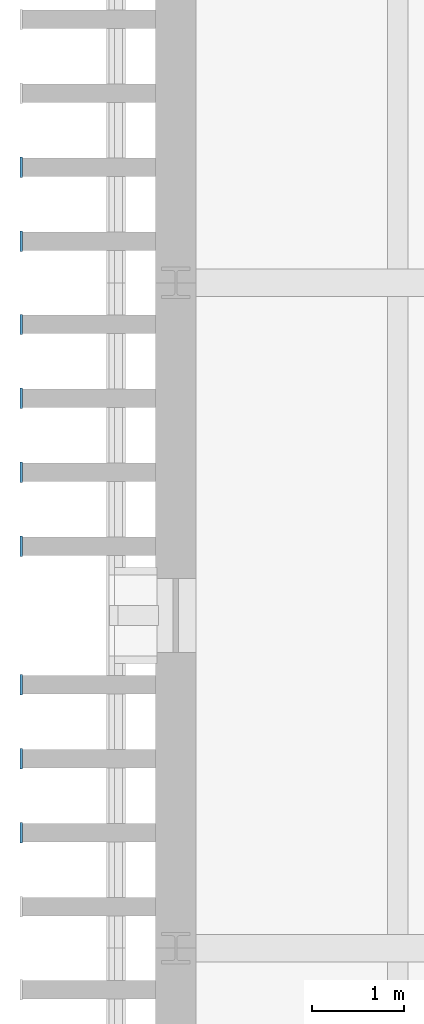
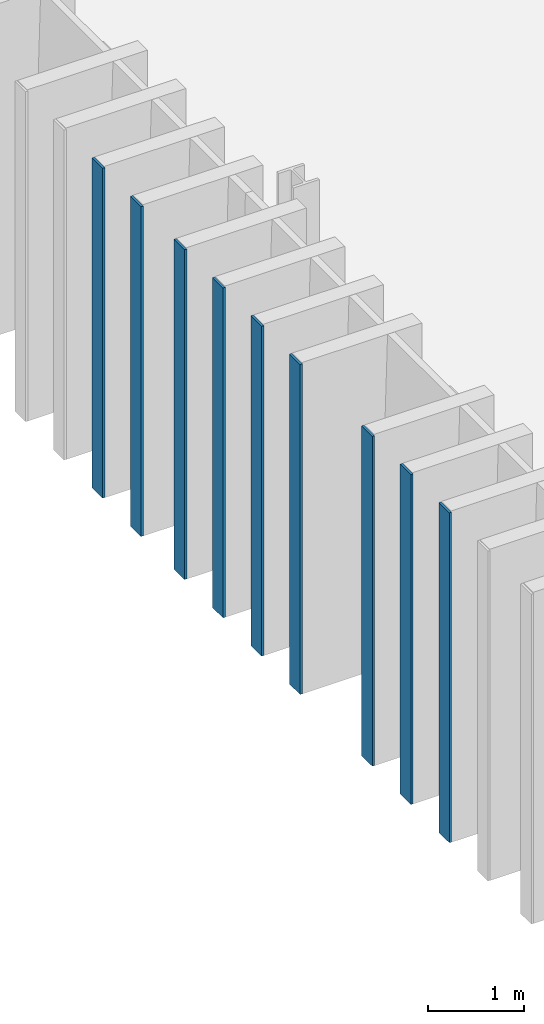
# One storey, part 53 of 115: 9 plates.
"""IFC4 building model written with IfcOpenShell, lengths in metres."""

from ifc_helpers import new_model, si_unit, direction, frame, origin, origin_2d, place, context, subcontext, project, spatial, rectangle, extrude, material, layer, layer_set, type_object, element, save


model = new_model("IFC4")

# Units and contexts
model_context = context("Model", 3, precision=1e-05, world=origin(), true_north=direction((0.0, 1.0)))
body_context = subcontext(model_context, "Body", "Model", "MODEL_VIEW")
ifc_project = project(units=[si_unit("LENGTHUNIT", "METRE"), si_unit("AREAUNIT", "SQUARE_METRE"), si_unit("VOLUMEUNIT", "CUBIC_METRE"), si_unit("PLANEANGLEUNIT", "RADIAN"), si_unit("MASSUNIT", "GRAM", prefix="KILO")], contexts=[model_context])

# Site, building, storey
site_placement = place(None, origin())
site = spatial("IfcSite", under=ifc_project, at=site_placement, CompositionType="ELEMENT")
building_placement = place(site_placement, origin())
building = spatial("IfcBuilding", under=site, at=building_placement, Name="Narikvali Park Central Library", CompositionType="ELEMENT")
storey_placement = place(building_placement, frame((0.0, 0.0, 10.199951171875)))
storey = spatial("IfcBuildingStorey", under=building, at=storey_placement, Name="L02", CompositionType="ELEMENT", Elevation=10.199951171875)

# Plates
ifc_material = material(Name="Anodised Bronze Aluminium", Category="aluminium")
ifc_layer = layer(ifc_material, 0.028076171875, Name="Anodised Bronze Aluminium")
ifc_layer_set = layer_set([ifc_layer], Name="Anodised Bronze Aluminium")
plate_type = type_object("IfcPlateType", Name="Vertical Brick Fin Bronze Bullnose Cap 28", PredefinedType="SHEET", material=ifc_layer_set)
for number, where, z_axis, x_axis, name in (
    (1, (-1.672119140625, 87.64990234375, 0.01025390625), (0.0, 0.0, 1.0), (1.0, 0.0, 0.0), "West Stacks Fin Bullnose Trim 369"),
    (2, (-1.672119140625, 88.449951171875, 0.01025390625), (0.0, 0.0, 1.0), (1.0, 0.0, 0.0), "West Stacks Fin Bullnose Trim 375"),
    (3, (-1.672119140625, 89.25, 0.01025390625), (0.0, 0.0, 1.0), (1.0, 0.0, 0.0), "West Stacks Fin Bullnose Trim 381"),
    (4, (-1.672119140625, 90.75, 0.01025390625), (0.0, 0.0, 1.0), (1.0, 0.0, 0.0), "West Stacks Fin Bullnose Trim 387"),
    (5, (-1.672119140625, 91.550048828125, 0.01025390625), (0.0, 0.0, 1.0), (1.0, 0.0, 0.0), "West Stacks Fin Bullnose Trim 393"),
    (6, (-1.672119140625, 92.35009765625, 0.01025390625), (0.0, 0.0, 1.0), (1.0, 0.0, 0.0), "West Stacks Fin Bullnose Trim 399"),
    (7, (-1.672119140625, 93.14990234375, 0.01025390625), (0.0, 0.0, 1.0), (1.0, 0.0, 0.0), "West Stacks Fin Bullnose Trim 405"),
    (8, (-1.672119140625, 94.050048828125, 0.01025390625), (0.0, 0.0, 1.0), (1.0, 0.0, 0.0), "West Stacks Fin Bullnose Trim 411"),
    (9, (-1.672119140625, 94.85009765625, 0.01025390625), (0.0, 0.0, 1.0), (1.0, 0.0, 0.0), "West Stacks Fin Bullnose Trim 417"),
):
    element("IfcPlate", number, at=place(storey_placement, frame(where, z_axis=z_axis, x_axis=x_axis)), inside=storey, type_object=plate_type, Name=name, PredefinedType="SHEET", context=body_context, shape_type="SweptSolid", body=[
        extrude(rectangle(XDim=0.028076171875, YDim=0.219970703125, at=origin_2d()), origin(), (0.0, 0.0, 1.0), 4.179931640625),
    ])

save(model, "model.ifc")
